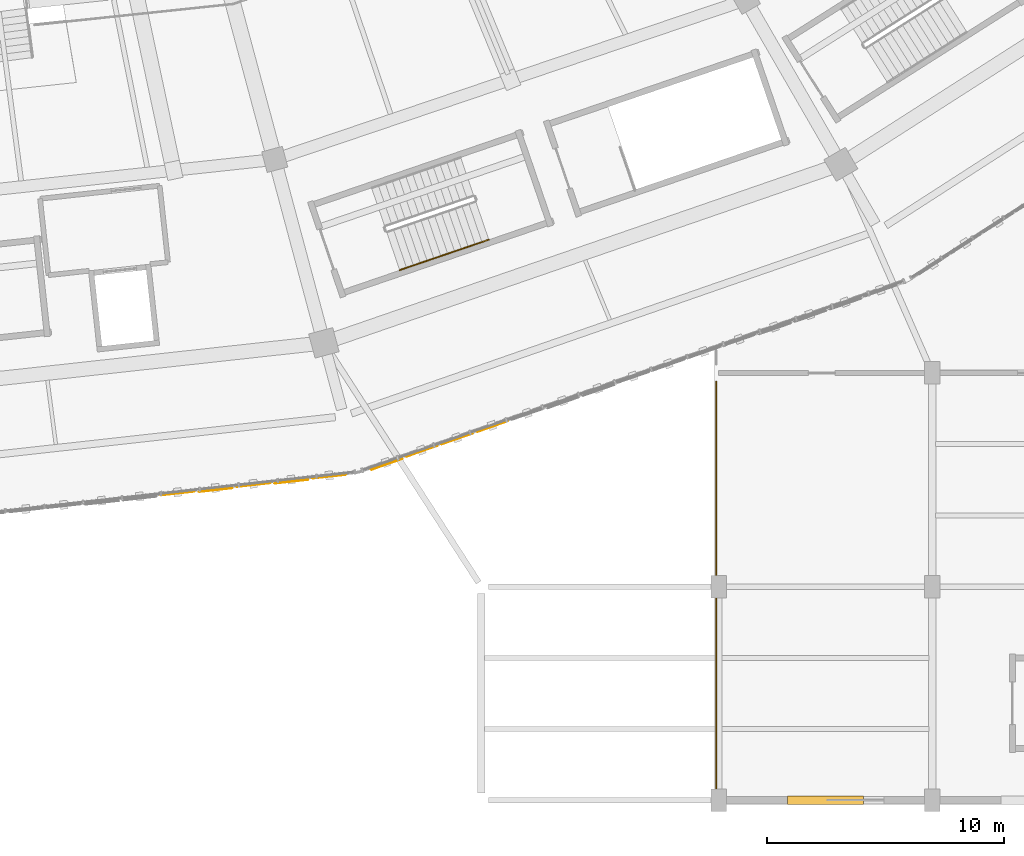
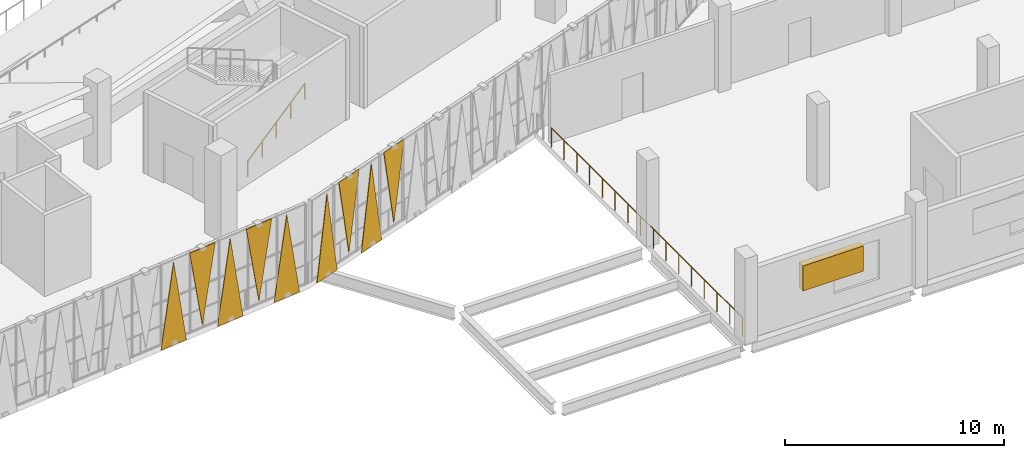
# One storey, part 126 of 152: 9 coverings, 2 railings, 1 shading device.
"""IFC4 building model written with IfcOpenShell, lengths in metres."""

from ifc_helpers import new_model, si_unit, direction, frame, origin, origin_2d, place, context, subcontext, project, spatial, polyline, rectangle, circle, outline, extrude, material, layer, layer_set, type_object, element, save


model = new_model("IFC4")

# Units and contexts
model_context = context("Model", 3, precision=1e-05, world=origin(), true_north=direction((0.0, 1.0)))
body_context = subcontext(model_context, "Body", "Model", "MODEL_VIEW")
ifc_project = project(units=[si_unit("LENGTHUNIT", "METRE"), si_unit("AREAUNIT", "SQUARE_METRE"), si_unit("VOLUMEUNIT", "CUBIC_METRE"), si_unit("PLANEANGLEUNIT", "RADIAN"), si_unit("MASSUNIT", "GRAM", prefix="KILO")], contexts=[model_context])

# Site, building, storey
site_placement = place(None, origin())
site = spatial("IfcSite", under=ifc_project, at=site_placement, CompositionType="ELEMENT")
building_placement = place(site_placement, origin())
building = spatial("IfcBuilding", under=site, at=building_placement, Name="Zevraka Park Crest Stadium", CompositionType="ELEMENT")
storey_placement = place(building_placement, frame((0.0, 0.0, 15.0)))
storey = spatial("IfcBuildingStorey", under=building, at=storey_placement, Name="L03", CompositionType="ELEMENT", Elevation=15.0)

# Coverings
ifc_material_1 = material(Name="Architectural golden-bronze perforated aluminium", Category="aluminium")
ifc_layer_1 = layer(ifc_material_1, 0.034912109375)
ifc_layer_set_1 = layer_set([ifc_layer_1], Name="Architectural golden-bronze perforated aluminium")
covering_type = type_object("IfcCoveringType", Name="CLD01", PredefinedType="CLADDING", material=ifc_layer_set_1)
covering_1_placement = place(storey_placement, frame((128.4951171875, 12.83203125, -0.260009765625), z_axis=(0.110524126296, -0.993873441046, 2.6259603e-05), x_axis=(0.993873441389, 0.110524126334, 0.0)))
element("IfcCovering", 1, at=covering_1_placement, inside=storey, type_object=covering_type, Name="Triangular Golden-Bronze Perforated Cladding L03-18-11", PredefinedType="CLADDING", context=body_context, shape_type="SweptSolid", body=[
    extrude(outline(polyline([(0.0, 0.0), (1.446852507941667, 0.0), (0.7234397456854739, 4.62011718909294), (0.0, 0.0)])), origin(), (0.0, 0.0, -1.0), 0.034912109375),
])
covering_2_placement = place(storey_placement, frame((131.530029296875, 13.1689453125, 4.52001953125), z_axis=(-0.10985733927, 0.993947355298, 0.000141081496), x_axis=(-0.99394736519, -0.109857340363, 0.0)))
element("IfcCovering", 2, at=covering_2_placement, inside=storey, type_object=covering_type, Name="Triangular Golden-Bronze Perforated Cladding L03-18-12", PredefinedType="CLADDING", context=body_context, shape_type="SweptSolid", body=[
    extrude(outline(polyline([(0.0, 0.0), (1.4467448997915233, 0.0), (0.7233053982964189, -4.300048870919063), (0.0, 0.0)])), origin(), (0.0, 0.0, -1.0), 0.034912109375),
])
covering_3_placement = place(storey_placement, frame((131.68896484375, 13.18701171875, -0.260009765625), z_axis=(0.110524126296, -0.993873441046, 2.6259603e-05), x_axis=(0.993873441389, 0.110524126334, 0.0)))
element("IfcCovering", 3, at=covering_3_placement, inside=storey, type_object=covering_type, Name="Triangular Golden-Bronze Perforated Cladding L03-18-13", PredefinedType="CLADDING", context=body_context, shape_type="SweptSolid", body=[
    extrude(outline(polyline([(0.0, 0.0), (1.446852507941667, 0.0), (0.7234397456854739, 4.62011718909294), (0.0, 0.0)])), origin(), (0.0, 0.0, -1.0), 0.034912109375),
])
covering_4_placement = place(storey_placement, frame((134.722900390625, 13.52392578125, 4.52001953125), z_axis=(-0.110598317724, 0.993865187976, 1.5655252e-05), x_axis=(-0.993865188098, -0.110598317738, 0.0)))
element("IfcCovering", 4, at=covering_4_placement, inside=storey, type_object=covering_type, Name="Triangular Golden-Bronze Perforated Cladding L03-18-14", PredefinedType="CLADDING", context=body_context, shape_type="SweptSolid", body=[
    extrude(outline(polyline([(0.0, 0.0), (1.4458819324376355, 0.0), (0.7224421797112335, -4.300048828651943), (0.0, 0.0)])), origin(), (0.0, 0.0, -1.0), 0.034912109375),
])
covering_5_placement = place(storey_placement, frame((134.882080078125, 13.5419921875, -0.260009765625), z_axis=(0.109857339416, -0.993947356621, 0.000131307778), x_axis=(0.99394736519, 0.109857340363, 0.0)))
element("IfcCovering", 5, at=covering_5_placement, inside=storey, type_object=covering_type, Name="Triangular Golden-Bronze Perforated Cladding L03-18-15", PredefinedType="CLADDING", context=body_context, shape_type="SweptSolid", body=[
    extrude(outline(polyline([(0.0, 0.0), (1.4467448997915233, 3.3881317890172014e-21), (0.7234395014951044, 4.620117227329413), (0.0, 0.0)])), origin(), (0.0, 0.0, -1.0), 0.034912109375),
])
covering_6_placement = place(storey_placement, frame((137.346923828125, 13.93505859375, -0.260009765625), z_axis=(-0.329958563516, 0.943995409368, 0.000115990765), x_axis=(0.943995415719, 0.329958565735, 0.0)))
element("IfcCovering", 6, at=covering_6_placement, inside=storey, type_object=covering_type, Name="Triangular Golden-Bronze Perforated Cladding L03-19-1", PredefinedType="CLADDING", context=body_context, shape_type="SweptSolid", body=[
    extrude(outline(polyline([(0.0, 0.0), (1.415453526972662, 0.0), (0.7074101389447789, -4.6201172185792), (0.0, 0.0)])), origin(), (0.0, 0.0, -1.0), 0.034912109375),
])
covering_7_placement = place(storey_placement, frame((140.169921875, 14.9208984375, 4.52001953125), z_axis=(0.329243357705, -0.944245101341, 0.0), x_axis=(-0.944245101341, -0.329243357705, 0.0)))
element("IfcCovering", 7, at=covering_7_placement, inside=storey, type_object=covering_type, Name="Triangular Golden-Bronze Perforated Cladding L03-19-2", PredefinedType="CLADDING", context=body_context, shape_type="SweptSolid", body=[
    extrude(outline(polyline([(0.0, 0.0), (1.414820683847903, 0.0), (0.7074103419239515, 4.300048828125), (0.0, 0.0)])), origin(), (0.0, 0.0, -1.0), 0.034912109375),
])
covering_8_placement = place(storey_placement, frame((140.321044921875, 14.97412109375, -0.260009765625), z_axis=(0.329858561276, -0.944030359469, 9.97707e-05), x_axis=(0.944030364167, 0.329858562918, 0.0)))
element("IfcCovering", 8, at=covering_8_placement, inside=storey, type_object=covering_type, Name="Triangular Golden-Bronze Perforated Cladding L03-19-3", PredefinedType="CLADDING", context=body_context, shape_type="SweptSolid", body=[
    extrude(outline(polyline([(0.0, 0.0), (1.415142510991743, -6.776263578034403e-21), (0.7077323192472964, 4.620117210494767), (0.0, 0.0)])), origin(), (0.0, 0.0, -1.0), 0.034912109375),
])
covering_9_placement = place(storey_placement, frame((143.14404296875, 15.9609375, 4.52001953125), z_axis=(0.33001229755, -0.943976629479, 8.0393172e-05), x_axis=(-0.94397663253, -0.330012298616, 0.0)))
element("IfcCovering", 9, at=covering_9_placement, inside=storey, type_object=covering_type, Name="Triangular Golden-Bronze Perforated Cladding L03-19-4", PredefinedType="CLADDING", context=body_context, shape_type="SweptSolid", body=[
    extrude(outline(polyline([(0.0, 0.0), (1.4152230616345545, 0.0), (0.70773238493054, 4.300048842020742), (0.0, 0.0)])), origin(), (0.0, 0.0, -1.0), 0.034912109375),
])

# Railings
ifc_material_2 = material(Name="Galvanised and bronze-finished steel balustrade", Category="steel")
railing_type_1 = type_object("IfcRailingType", Name="GR01", PredefinedType="GUARDRAIL", material=ifc_material_2)
railing_1_placement = place(storey_placement, frame((151.89501953125, 0.14306640625, 0.0)))
element("IfcRailing", 10, at=railing_1_placement, inside=storey, type_object=railing_type_1, Name="Deck Edge Protection Guardrail GR01 L03-28", PredefinedType="GUARDRAIL", context=body_context, shape_type="SweptSolid", body=[
    extrude(circle(Radius=0.02392578125, at=origin_2d()), frame((0.0, 0.0, 1.076171875), z_axis=(0.0, 1.0, 0.0), x_axis=(-1.0, 0.0, 0.0)), (0.0, 0.0, 1.0), 17.491943359375),
    extrude(circle(Radius=0.02099609375, at=origin_2d()), origin(), (0.0, 0.0, 1.0), 1.052001953125),
    extrude(circle(Radius=0.02099609375, at=origin_2d()), frame((0.0, 1.166015625, 0.0)), (0.0, 0.0, 1.0), 1.052001953125),
    extrude(circle(Radius=0.02099609375, at=origin_2d()), frame((0.0, 2.332275390625, 0.0)), (0.0, 0.0, 1.0), 1.052001953125),
    extrude(circle(Radius=0.02099609375, at=origin_2d()), frame((0.0, 3.498291015625, 0.0)), (0.0, 0.0, 1.0), 1.052001953125),
    extrude(circle(Radius=0.02099609375, at=origin_2d()), frame((0.0, 4.66455078125, 0.0)), (0.0, 0.0, 1.0), 1.052001953125),
    extrude(circle(Radius=0.02099609375, at=origin_2d()), frame((0.0, 5.83056640625, 0.0)), (0.0, 0.0, 1.0), 1.052001953125),
    extrude(circle(Radius=0.02099609375, at=origin_2d()), frame((0.0, 6.996826171875, 0.0)), (0.0, 0.0, 1.0), 1.052001953125),
    extrude(circle(Radius=0.02099609375, at=origin_2d()), frame((0.0, 8.162841796875, 0.0)), (0.0, 0.0, 1.0), 1.052001953125),
    extrude(circle(Radius=0.02099609375, at=origin_2d()), frame((0.0, 9.3291015625, 0.0)), (0.0, 0.0, 1.0), 1.052001953125),
    extrude(circle(Radius=0.02099609375, at=origin_2d()), frame((0.0, 10.4951171875, 0.0)), (0.0, 0.0, 1.0), 1.052001953125),
    extrude(circle(Radius=0.02099609375, at=origin_2d()), frame((0.0, 11.661376953125, 0.0)), (0.0, 0.0, 1.0), 1.052001953125),
    extrude(circle(Radius=0.02099609375, at=origin_2d()), frame((0.0, 12.827392578125, 0.0)), (0.0, 0.0, 1.0), 1.052001953125),
    extrude(circle(Radius=0.02099609375, at=origin_2d()), frame((0.0, 13.99365234375, 0.0)), (0.0, 0.0, 1.0), 1.052001953125),
    extrude(circle(Radius=0.02099609375, at=origin_2d()), frame((0.0, 15.15966796875, 0.0)), (0.0, 0.0, 1.0), 1.052001953125),
    extrude(circle(Radius=0.02099609375, at=origin_2d()), frame((0.0, 16.325927734375, 0.0)), (0.0, 0.0, 1.0), 1.052001953125),
    extrude(circle(Radius=0.02099609375, at=origin_2d()), frame((0.0, 17.491943359375, 0.0)), (0.0, 0.0, 1.0), 1.052001953125),
])
ifc_material_3 = material(Name="Brushed stainless steel continuous handrail", Category="steel")
railing_type_2 = type_object("IfcRailingType", Name="HR01", PredefinedType="HANDRAIL", material=ifc_material_3)
railing_2_placement = place(storey_placement, frame((138.56689453125, 22.328125, 0.17138671875)))
element("IfcRailing", 11, at=railing_2_placement, inside=storey, type_object=railing_type_2, Name="L03 ST20 stair handrail 1", PredefinedType="HANDRAIL", context=body_context, shape_type="SweptSolid", body=[
    extrude(circle(Radius=0.02392578125, at=origin_2d()), frame((0.0, 0.0, 0.8759765625), z_axis=(0.824726794133, 0.282441418206, 0.489951589772), x_axis=(-0.32399372979, 0.946059228091, 0.0)), (0.0, 0.0, 1.0), 4.54833984375),
    extrude(circle(Radius=0.02099609375, at=origin_2d()), origin(), (0.0, 0.0, 1.0), 0.851806640625),
    extrude(circle(Radius=0.02099609375, at=origin_2d()), frame((0.937744140625, 0.3212890625, 0.55712890625)), (0.0, 0.0, 1.0), 0.851806640625),
    extrude(circle(Radius=0.02099609375, at=origin_2d()), frame((1.87548828125, 0.642333984375, 1.1142578125)), (0.0, 0.0, 1.0), 0.851806640625),
    extrude(circle(Radius=0.02099609375, at=origin_2d()), frame((2.8134765625, 0.96337890625, 1.67138671875)), (0.0, 0.0, 1.0), 0.851806640625),
    extrude(circle(Radius=0.02099609375, at=origin_2d()), frame((3.751220703125, 1.28466796875, 2.228515625)), (0.0, 0.0, 1.0), 0.851806640625),
])

# Shading device
ifc_material_4 = material(Name="Terracotta and bronze acoustic ventilation louvre", Category="masonry")
ifc_layer_2 = layer(ifc_material_4, 0.080078125)
ifc_layer_set_2 = layer_set([ifc_layer_2], Name="Terracotta and bronze acoustic ventilation louvre")
shading_device_type = type_object("IfcShadingDeviceType", Name="LVR01", PredefinedType="USERDEFINED", material=ifc_layer_set_2)
shading_device_placement = place(storey_placement, frame((156.5, 0.0, 1.699951171875), z_axis=(0.0, 0.0, 1.0), x_axis=(-1.0, 0.0, 0.0)))
element("IfcShadingDevice", 12, at=shading_device_placement, inside=storey, type_object=shading_device_type, Name="Plant Ventilation Louvre LVR01 L03-7", ObjectType="LOUVRE", PredefinedType="USERDEFINED", context=body_context, shape_type="SweptSolid", body=[
    extrude(rectangle(XDim=3.199951171875, YDim=0.360107421875, at=origin_2d()), origin(), (0.0, 0.0, 1.0), 1.39990234375),
])

save(model, "model.ifc")
